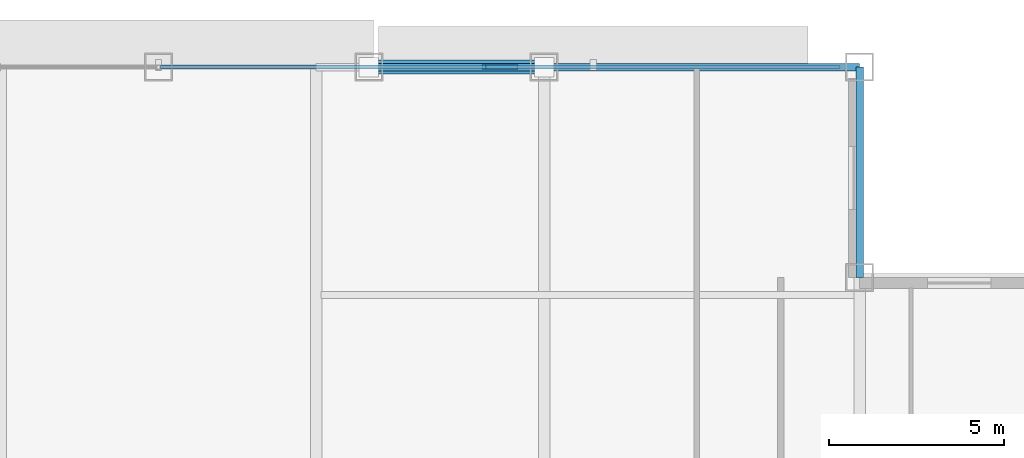
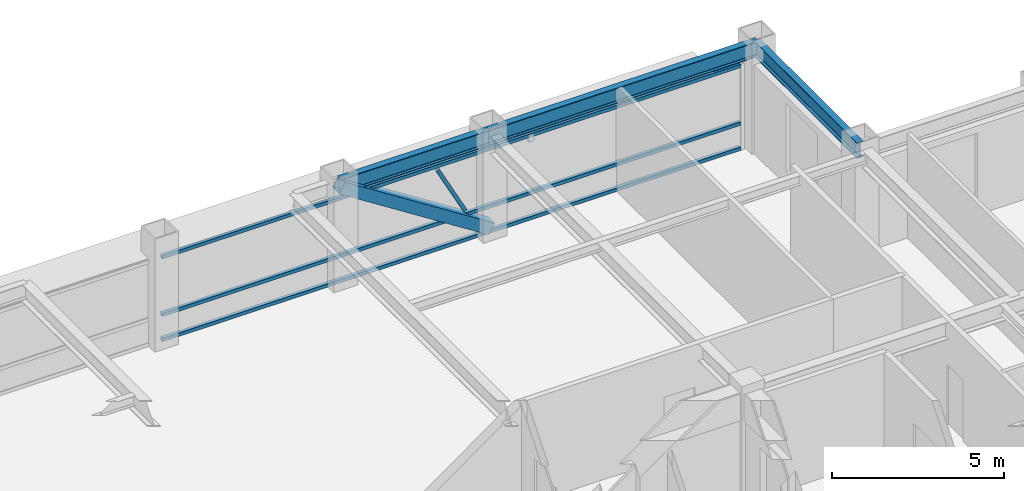
# One storey, part 21 of 32: 5 members, 3 beams, 1 element without a shape of its own.
"""IFC4 building model written with IfcOpenShell, lengths in metres."""

import ifcopenshell
import ifcopenshell.guid

model = None  # the IFC model being written
_history = None  # IfcOwnerHistory: only IFC2X3 demands one
_inside = {}  # id of a spatial element -> (the spatial element, [elements in it])
_under = {}  # id of a project, library or spatial element -> (it, [spatial elements below it])
_declared = {}  # id of a project -> (the project, [libraries it declares])
_typed = {}  # id of a type object -> (the type object, [elements of that type])
_made_of = {}  # id of a material, layer set ... -> (it, [elements and type objects made of it])


def new_model(schema):
    """Start an empty IFC model of exactly this schema.

    Asked for "IFC4X3", IfcOpenShell would pick the latest addendum, in which some entities
    have other attributes; the version numbers below select the first issue.
    IFC2X3 requires an IfcOwnerHistory on every rooted entity: one is made here for all.
    """
    global model, _history
    if schema == "IFC4X3":
        model = ifcopenshell.file(schema_version=(4, 3, 0, 0))
    else:
        model = ifcopenshell.file(schema=schema)
    _inside.clear()
    _under.clear()
    _declared.clear()
    _typed.clear()
    _made_of.clear()
    _history = None
    if model.schema == "IFC2X3":
        org = make("IfcOrganization", Name="unknown")
        user = make(
            "IfcPersonAndOrganization",
            ThePerson=make("IfcPerson", FamilyName="unknown"),
            TheOrganization=org,
        )
        app = make(
            "IfcApplication",
            ApplicationDeveloper=org,
            Version="unknown",
            ApplicationFullName="unknown",
            ApplicationIdentifier="unknown",
        )
        _history = make(
            "IfcOwnerHistory",
            OwningUser=user,
            OwningApplication=app,
            ChangeAction="ADDED",
            CreationDate=0,
        )
    return model


def make(cls, **values):
    """One entity of the class cls with the attributes given. An attribute that is None is left unset."""
    return model.create_entity(
        cls, **{name: value for name, value in values.items() if value is not None}
    )


def rooted(cls, **values):
    """An entity with a GlobalId (a new one), such as an element, a storey or a relation."""
    return make(cls, GlobalId=ifcopenshell.guid.new(), OwnerHistory=_history, **values)


def si_unit(unit_type, name, prefix=None):
    """IfcSIUnit, for example si_unit("LENGTHUNIT", "METRE", prefix="MILLI")."""
    return make("IfcSIUnit", UnitType=unit_type, Prefix=prefix, Name=name)


def assignment(units):
    """IfcUnitAssignment: the units of a project."""
    return None if units is None else make("IfcUnitAssignment", Units=units)


def point(xyz):
    """IfcCartesianPoint."""
    return None if xyz is None else make("IfcCartesianPoint", Coordinates=xyz)


def direction(xyz):
    """IfcDirection."""
    return None if xyz is None else make("IfcDirection", DirectionRatios=xyz)


def frame(location, z_axis=None, x_axis=None):
    """IfcAxis2Placement3D, a coordinate frame: its origin and axes. An axis left out is left unset."""
    return make(
        "IfcAxis2Placement3D",
        Location=point(location),
        Axis=direction(z_axis),
        RefDirection=direction(x_axis),
    )


def frame_2d(location, x_axis=None):
    """IfcAxis2Placement2D, a coordinate frame in the plane: its origin and x axis."""
    return make(
        "IfcAxis2Placement2D", Location=point(location), RefDirection=direction(x_axis)
    )


def origin():
    """The frame at (0, 0, 0) with its axes left unset."""
    return frame((0.0, 0.0, 0.0))


def origin_2d():
    """The frame at (0, 0) in the plane with its x axis left unset."""
    return frame_2d((0.0, 0.0))


def place(relative_to, where):
    """IfcLocalPlacement: puts the frame where relative to a parent placement (None: the world)."""
    return make(
        "IfcLocalPlacement", PlacementRelTo=relative_to, RelativePlacement=where
    )


def context(
    kind, dimensions, precision=None, world=None, true_north=None, identifier=None
):
    """IfcGeometricRepresentationContext, for example the 3D "Model" context."""
    return make(
        "IfcGeometricRepresentationContext",
        ContextIdentifier=identifier,
        ContextType=kind,
        CoordinateSpaceDimension=dimensions,
        Precision=precision,
        WorldCoordinateSystem=world,
        TrueNorth=true_north,
    )


def subcontext(parent, identifier, kind, view, scale=None):
    """IfcGeometricRepresentationSubContext, for example "Body" below "Model"."""
    return make(
        "IfcGeometricRepresentationSubContext",
        ContextIdentifier=identifier,
        ContextType=kind,
        ParentContext=parent,
        TargetScale=scale,
        TargetView=view,
    )


def project(units=None, contexts=None):
    """IfcProject with its units and contexts."""
    return rooted(
        "IfcProject",
        Name="project",
        RepresentationContexts=contexts,
        UnitsInContext=assignment(units),
    )


def spatial(cls, under=None, at=None, **own):
    """A site, building, storey or space (cls), placed at a placement, below another one or the project."""
    s = rooted(cls, ObjectPlacement=at, **own)
    if under is not None:
        _under.setdefault(under.id(), (under, []))[1].append(s)
    return s


def profile(cls, at=None, kind="AREA", **sizes):
    """A parametric profile (cls). Its sizes go by their IFC names, for example OverallWidth=200.0."""
    return make(cls, ProfileType=kind, Position=at, **sizes)


def hollow_rectangle(**sizes):
    """IfcRectangleHollowProfileDef."""
    return profile("IfcRectangleHollowProfileDef", **sizes)


def i_section(**sizes):
    """IfcIShapeProfileDef."""
    return profile("IfcIShapeProfileDef", **sizes)


def extrude(swept, where, along, depth):
    """IfcExtrudedAreaSolid: the profile swept, set in the frame where, extruded along a direction by depth."""
    return make(
        "IfcExtrudedAreaSolid",
        SweptArea=swept,
        Position=where,
        ExtrudedDirection=direction(along),
        Depth=depth,
    )


def shape(context_of_items, identifier, shape_type, items):
    """IfcShapeRepresentation: the items that make up one representation, for example the "Body"."""
    return make(
        "IfcShapeRepresentation",
        ContextOfItems=context_of_items,
        RepresentationIdentifier=identifier,
        RepresentationType=shape_type,
        Items=items,
    )


def source(mapping_origin, context_of_items, identifier, shape_type, items):
    """IfcRepresentationMap: a shape defined once, which mapped items show again and again."""
    return make(
        "IfcRepresentationMap",
        MappingOrigin=mapping_origin,
        MappedRepresentation=shape(context_of_items, identifier, shape_type, items),
    )


def transform(
    local_origin,
    x_axis=None,
    y_axis=None,
    z_axis=None,
    scale=None,
    scale2=None,
    scale3=None,
    uniform=True,
):
    """IfcCartesianTransformationOperator3D, or its non-uniform kind. x_axis, y_axis, z_axis: its Axis1, 2, 3."""
    if uniform:
        return make(
            "IfcCartesianTransformationOperator3D",
            Axis1=direction(x_axis),
            Axis2=direction(y_axis),
            LocalOrigin=point(local_origin),
            Scale=scale,
            Axis3=direction(z_axis),
        )
    return make(
        "IfcCartesianTransformationOperator3DnonUniform",
        Axis1=direction(x_axis),
        Axis2=direction(y_axis),
        LocalOrigin=point(local_origin),
        Scale=scale,
        Axis3=direction(z_axis),
        Scale2=scale2,
        Scale3=scale3,
    )


def mapped(mapping_source, mapping_target):
    """IfcMappedItem: shows the shape of a source again, moved by a transform."""
    return make(
        "IfcMappedItem", MappingSource=mapping_source, MappingTarget=mapping_target
    )


def material(Name=None, Category=None):
    """IfcMaterial."""
    return make("IfcMaterial", Name=Name, Category=Category)


def material_profile(
    of_material, cross_section, Name=None, Category=None, Priority=None
):
    """IfcMaterialProfile: a cross section and its material."""
    return make(
        "IfcMaterialProfile",
        Name=Name,
        Material=of_material,
        Profile=cross_section,
        Priority=Priority,
        Category=Category,
    )


def profile_set(profiles, Name=None, composite=None):
    """IfcMaterialProfileSet."""
    return make(
        "IfcMaterialProfileSet",
        Name=Name,
        MaterialProfiles=profiles,
        CompositeProfile=composite,
    )


def made_of(thing, what):
    """Note that an element or type object is made of a material, layer set ...; save() writes the relation."""
    if what is not None:
        _made_of.setdefault(what.id(), (what, []))[1].append(thing)
    return thing


def type_object(cls, material=None, **own):
    """A type object (cls), such as IfcWallType, which elements share."""
    return made_of(rooted(cls, **own), material)


def element(
    cls,
    number,
    at=None,
    inside=None,
    cuts=None,
    type_object=None,
    material=None,
    context=None,
    identifier="Body",
    shape_type=None,
    held_by="IfcProductDefinitionShape",
    body=None,
    shapes=None,
    **own,
):
    """One element of the class cls, such as IfcWall. Its Tag is "e" and its number.

    at: its placement. inside: the storey or other place that contains it. cuts: it is an
    opening in that element (IfcRelVoidsElement). A single representation is given by context,
    identifier, shape_type and body (its items); several are given by shapes. held_by: the class
    of the entity that holds the representations. save() writes the other relations.
    """
    e = rooted(cls, Tag="e%d" % number, ObjectPlacement=at, **own)
    if body is not None:
        shapes = [shape(context, identifier, shape_type, body)]
    if shapes is not None:
        e.Representation = make(held_by, Representations=shapes)
    if inside is not None:
        _inside.setdefault(inside.id(), (inside, []))[1].append(e)
    if cuts is not None:
        rooted(
            "IfcRelVoidsElement", RelatingBuildingElement=cuts, RelatedOpeningElement=e
        )
    if type_object is not None:
        _typed.setdefault(type_object.id(), (type_object, []))[1].append(e)
    return made_of(e, material)


def aggregate(whole, parts):
    """IfcRelAggregates: a whole, such as a stair, and the parts it consists of."""
    return rooted("IfcRelAggregates", RelatingObject=whole, RelatedObjects=parts)


def save(model, path):
    """Write the relations noted so far, then the file.

    IfcRelAggregates (storeys below a building ...), IfcRelContainedInSpatialStructure (elements
    in a storey), IfcRelDefinesByType, IfcRelAssociatesMaterial and IfcRelDeclares: one each for
    every whole, place, type object, material and project.
    """
    for whole, parts in _under.values():
        aggregate(whole, parts)
    for where, things in _inside.values():
        rooted(
            "IfcRelContainedInSpatialStructure",
            RelatedElements=things,
            RelatingStructure=where,
        )
    for kind, things in _typed.values():
        rooted("IfcRelDefinesByType", RelatedObjects=things, RelatingType=kind)
    for what, things in _made_of.values():
        rooted("IfcRelAssociatesMaterial", RelatedObjects=things, RelatingMaterial=what)
    for by, libraries in _declared.values():
        rooted("IfcRelDeclares", RelatingContext=by, RelatedDefinitions=libraries)
    model.write(path)


model = new_model("IFC4")

# Units and contexts
model_context = context("Model", 3, precision=1e-05, world=origin(), true_north=direction((0.0, 1.0)))
body_context = subcontext(model_context, "Body", "Model", "MODEL_VIEW")
ifc_project = project(units=[si_unit("LENGTHUNIT", "METRE"), si_unit("AREAUNIT", "SQUARE_METRE"), si_unit("VOLUMEUNIT", "CUBIC_METRE"), si_unit("PLANEANGLEUNIT", "RADIAN"), si_unit("MASSUNIT", "GRAM", prefix="KILO")], contexts=[model_context])

# Site, building, storey
site_placement = place(None, origin())
site = spatial("IfcSite", under=ifc_project, at=site_placement, CompositionType="ELEMENT")
building_placement = place(site_placement, origin())
building = spatial("IfcBuilding", under=site, at=building_placement, Name="Khorayat Bourse Tower", CompositionType="ELEMENT")
storey_placement = place(building_placement, frame((0.0, 0.0, 342.300048828125)))
storey = spatial("IfcBuildingStorey", under=building, at=storey_placement, Name="L81", CompositionType="ELEMENT", Elevation=342.300048828125)

# Beams
ifc_material_1 = material(Name="Steel ASTM A992 Grade 50", Category="steel")
ifc_material_profile_1 = material_profile(ifc_material_1, i_section(OverallWidth=0.214111328125, OverallDepth=0.549072265625, WebThickness=0.0146484375, FlangeThickness=0.023681640625, FilletRadius=0.013916015625, at=origin_2d()), Name="W530X138")
ifc_profile_set_1 = profile_set([ifc_material_profile_1], Name="Steel ASTM A992 Grade 50")
beam_type = type_object("IfcBeamType", Name="BM-SPAN-530", PredefinedType="SPANDREL", material=ifc_profile_set_1)
shared_shape_1 = source(origin(), body_context, "Body", "SweptSolid", [
    extrude(i_section(OverallWidth=0.214111328125, OverallDepth=0.549072265625, WebThickness=0.0146484375, FlangeThickness=0.023681640625, FilletRadius=0.013916015625, at=origin_2d()), origin(), (0.0, 0.0, 1.0), 9.0),
])
beam_1_placement = place(storey_placement, frame((11.0, 26.0, 3.425537109375), z_axis=(1.0, 0.0, 0.0), x_axis=(0.0, 1.0, 0.0)))
element("IfcBeam", 1, at=beam_1_placement, inside=storey, type_object=beam_type, Name="L81 BM-SPAN-530 BM-L81-SPN-037", PredefinedType="SPANDREL", context=body_context, shape_type="MappedRepresentation", body=[
    mapped(shared_shape_1, transform((0.0, 0.0, 0.0), scale=1.0)),
])
shared_shape_2 = source(origin(), body_context, "Body", "SweptSolid", [
    extrude(i_section(OverallWidth=0.214111328125, OverallDepth=0.549072265625, WebThickness=0.0146484375, FlangeThickness=0.023681640625, FilletRadius=0.013916015625, at=origin_2d()), origin(), (0.0, 0.0, 1.0), 5.0),
])
beam_2_placement = place(storey_placement, frame((6.0, 26.0, 3.425537109375), z_axis=(1.0, 0.0, 0.0), x_axis=(0.0, 1.0, 0.0)))
element("IfcBeam", 2, at=beam_2_placement, inside=storey, type_object=beam_type, Name="L81 BM-SPAN-530 BM-L81-SPN-038", PredefinedType="SPANDREL", context=body_context, shape_type="MappedRepresentation", body=[
    mapped(shared_shape_2, transform((0.0, 0.0, 0.0), scale=1.0)),
])
shared_shape_3 = source(origin(), body_context, "Body", "SweptSolid", [
    extrude(i_section(OverallWidth=0.214111328125, OverallDepth=0.549072265625, WebThickness=0.0146484375, FlangeThickness=0.023681640625, FilletRadius=0.013916015625, at=origin_2d()), origin(), (0.0, 0.0, 1.0), 6.0),
])
beam_3_placement = place(storey_placement, frame((20.0, 20.0, 3.425537109375), z_axis=(0.0, 1.0, 0.0), x_axis=(-1.0, 0.0, 0.0)))
element("IfcBeam", 3, at=beam_3_placement, inside=storey, type_object=beam_type, Name="L81 BM-SPAN-530 BM-L81-SPN-036", PredefinedType="SPANDREL", context=body_context, shape_type="MappedRepresentation", body=[
    mapped(shared_shape_3, transform((0.0, 0.0, 0.0), scale=1.0)),
])

# Member
ifc_material_2 = material(Name="Steel EN 10025-4 S460M", Category="steel")
ifc_material_profile_2 = material_profile(ifc_material_2, hollow_rectangle(XDim=0.39990234375, YDim=0.39990234375, WallThickness=0.02197265625, at=origin_2d()), Name="HSS 400x400x22")
ifc_profile_set_2 = profile_set([ifc_material_profile_2], Name="Steel EN 10025-4 S460M")
member_type_1 = type_object("IfcMemberType", Name="MBR-TUBE-400", PredefinedType="BRACE", material=ifc_profile_set_2)
shared_shape_4 = source(origin(), body_context, "Body", "SweptSolid", [
    extrude(hollow_rectangle(XDim=0.39990234375, YDim=0.39990234375, WallThickness=0.02197265625, at=origin_2d()), origin(), (0.0, 0.0, 1.0), 5.936279296875),
])
member_1_placement = place(storey_placement, frame((6.0, 26.0, 3.449951171875), z_axis=(0.84227513519, 0.0, -0.539047861178), x_axis=(0.0, 1.0, 0.0)))
element("IfcMember", 4, at=member_1_placement, inside=storey, type_object=member_type_1, Name="L81 Perimeter Tube Brace 04", PredefinedType="BRACE", context=body_context, shape_type="MappedRepresentation", body=[
    mapped(shared_shape_4, transform((0.0, 0.0, 0.0), scale=1.0)),
])

# Curtain wall, members
ifc_material_3 = material(Name="Aluminium EN AW-6063 T6", Category="aluminium")
curtain_wall_type = type_object("IfcCurtainWallType", Name="CW-SYS-04", PredefinedType="NOTDEFINED", material=ifc_material_3)
curtain_wall_placement = place(storey_placement, origin())
curtain_wall = element("IfcCurtainWall", 5, at=curtain_wall_placement, inside=storey, type_object=curtain_wall_type, Name="L81 Curtain Wall CW-L81-N1", PredefinedType="NOTDEFINED")
ifc_material_profile_3 = material_profile(ifc_material_3, hollow_rectangle(XDim=0.1201171875, YDim=0.1201171875, WallThickness=0.0048828125, at=origin_2d()), Name="ALU 120x120x5")
ifc_profile_set_3 = profile_set([ifc_material_profile_3], Name="Aluminium EN AW-6063 T6")
member_type_2 = type_object("IfcMemberType", Name="CWT-HORZ-120", PredefinedType="USERDEFINED", material=ifc_profile_set_3)
shared_shape_5 = source(origin(), body_context, "Body", "SweptSolid", [
    extrude(hollow_rectangle(XDim=0.1201171875, YDim=0.1201171875, WallThickness=0.0048828125, at=origin_2d()), origin(), (0.0, 0.0, 1.0), 19.369873046875),
])
member_2_placement = place(storey_placement, frame((0.06005859375, 26.0, 0.06005859375), z_axis=(1.0, 0.0, 0.0), x_axis=(0.0, 1.0, 0.0)))
member_2 = element("IfcMember", 6, at=member_2_placement, type_object=member_type_2, Name="CW-L81-N1 Horizontal Transom 2-1", ObjectType="TRANSOM", PredefinedType="USERDEFINED", context=body_context, shape_type="MappedRepresentation", body=[
    mapped(shared_shape_5, transform((0.0, 0.0, 0.0), scale=1.0)),
])
member_3_placement = place(storey_placement, frame((0.06005859375, 26.0, 0.949951171875), z_axis=(1.0, 0.0, 0.0), x_axis=(0.0, 1.0, 0.0)))
member_3 = element("IfcMember", 7, at=member_3_placement, type_object=member_type_2, Name="CW-L81-N1 Horizontal Transom 2-2", ObjectType="TRANSOM", PredefinedType="USERDEFINED", context=body_context, shape_type="MappedRepresentation", body=[
    mapped(shared_shape_5, transform((0.0, 0.0, 0.0), scale=1.0)),
])
member_4_placement = place(storey_placement, frame((0.06005859375, 26.0, 2.989990234375), z_axis=(1.0, 0.0, 0.0), x_axis=(0.0, 1.0, 0.0)))
member_4 = element("IfcMember", 8, at=member_4_placement, type_object=member_type_2, Name="CW-L81-N1 Horizontal Transom 2-3", ObjectType="TRANSOM", PredefinedType="USERDEFINED", context=body_context, shape_type="MappedRepresentation", body=[
    mapped(shared_shape_5, transform((0.0, 0.0, 0.0), scale=1.0)),
])
ifc_material_profile_4 = material_profile(ifc_material_3, hollow_rectangle(XDim=0.1201171875, YDim=0.1201171875, WallThickness=0.0048828125, at=origin_2d()), Name="ALU 120x120x5")
ifc_profile_set_4 = profile_set([ifc_material_profile_4], Name="Aluminium EN AW-6063 T6")
member_type_3 = type_object("IfcMemberType", Name="CWM-DIAG-120", PredefinedType="MULLION", material=ifc_profile_set_4)
shared_shape_6 = source(origin(), body_context, "Body", "SweptSolid", [
    extrude(hollow_rectangle(XDim=0.1201171875, YDim=0.1201171875, WallThickness=0.0048828125, at=origin_2d()), origin(), (0.0, 0.0, 1.0), 1.989013671875),
])
member_5_placement = place(storey_placement, frame((10.208251953125, 26.0, 1.08984375), z_axis=(-0.46582231551, 0.0, 0.884878279976), x_axis=(0.0, -1.0, 0.0)))
member_5 = element("IfcMember", 9, at=member_5_placement, type_object=member_type_3, Name="CW-L81-N1 Faceted Diagonal Mullion 2", PredefinedType="MULLION", context=body_context, shape_type="MappedRepresentation", body=[
    mapped(shared_shape_6, transform((0.0, 0.0, 0.0), scale=1.0)),
])
aggregate(curtain_wall, [member_2, member_3, member_4, member_5])

save(model, "model.ifc")
